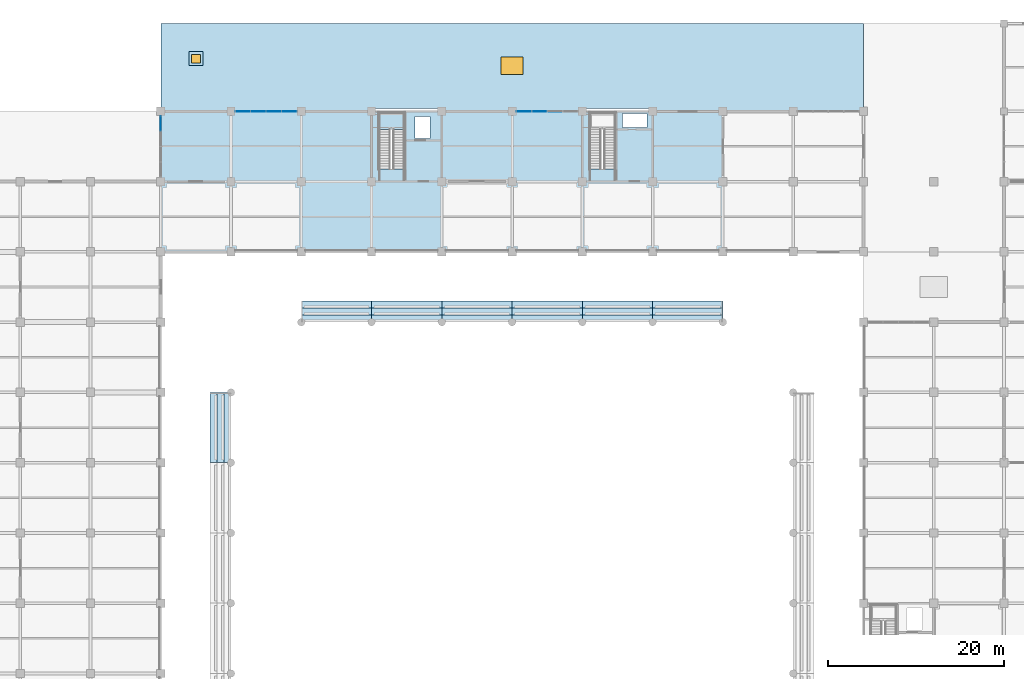
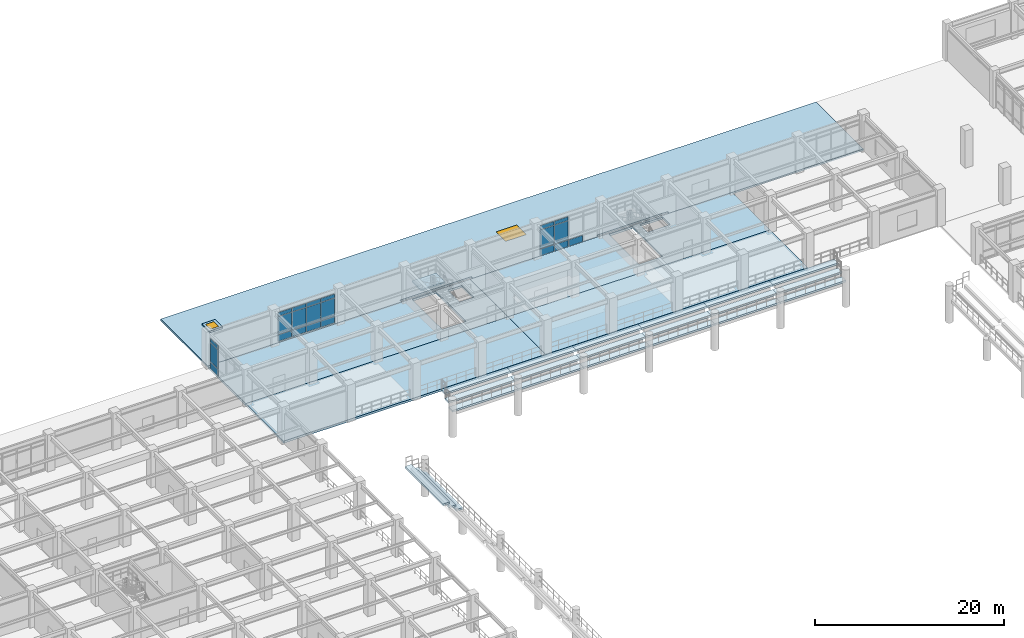
# One storey, part 64 of 109: 28 slabs, 22 plates, 1 door, 1 window, 2 openings, 4 elements without a shape of their own.
"""IFC4 building model written with IfcOpenShell, lengths in metres."""

from ifc_helpers import new_model, si_unit, direction, frame, origin, origin_2d, place, context, subcontext, project, spatial, polyline, rectangle, outline, extrude, material, layer, layer_set, type_object, element, fill, aggregate, save


model = new_model("IFC4")

# Units and contexts
model_context = context("Model", 3, precision=1e-05, world=origin(), true_north=direction((0.0, 1.0)))
body_context = subcontext(model_context, "Body", "Model", "MODEL_VIEW")
ifc_project = project(units=[si_unit("LENGTHUNIT", "METRE"), si_unit("AREAUNIT", "SQUARE_METRE"), si_unit("VOLUMEUNIT", "CUBIC_METRE"), si_unit("PLANEANGLEUNIT", "RADIAN"), si_unit("MASSUNIT", "GRAM", prefix="KILO")], contexts=[model_context])

# Site, building, storey
site_placement = place(None, origin())
site = spatial("IfcSite", under=ifc_project, at=site_placement, CompositionType="ELEMENT")
building_placement = place(site_placement, origin())
building = spatial("IfcBuilding", under=site, at=building_placement, Name="Haebicheon Civic Stadium", CompositionType="ELEMENT")
storey_placement = place(building_placement, frame((0.0, 0.0, 9.60009765625)))
storey = spatial("IfcBuildingStorey", under=building, at=storey_placement, Name="L03", CompositionType="ELEMENT", Elevation=9.60009765625)

# Curtain wall, plate
ifc_material_1 = material(Name="Anodised aluminium and laminated glass", Category="aluminium")
ifc_layer_1 = layer(ifc_material_1, 0.179931640625, Name="Anodised aluminium and laminated glass")
ifc_layer_set_1 = layer_set([ifc_layer_1], Name="Anodised aluminium and laminated glass")
curtain_wall_type_1 = type_object("IfcCurtainWallType", Name="CW-7050x3950", PredefinedType="NOTDEFINED", material=ifc_layer_set_1)
curtain_wall_1_placement = place(storey_placement, origin())
curtain_wall_1 = element("IfcCurtainWall", 1, at=curtain_wall_1_placement, inside=storey, type_object=curtain_wall_type_1, material=ifc_layer_set_1, Name="L03 unitised curtain wall 078", PredefinedType="NOTDEFINED")
ifc_material_2 = material(Name="Double low-e laminated glass", Category="glass")
ifc_layer_2 = layer(ifc_material_2, 0.028076171875, Name="Double low-e laminated glass")
ifc_layer_set_2 = layer_set([ifc_layer_2], Name="Double low-e laminated glass")
plate_type_1 = type_object("IfcPlateType", Name="CWP-GLZ-28", PredefinedType="CURTAIN_PANEL", material=ifc_layer_set_2)
plate_1_placement = place(storey_placement, frame((64.0, 166.6259765625, 0.93505859375), z_axis=(0.0, 0.0, 1.0), x_axis=(0.0, 1.0, 0.0)))
plate_1 = element("IfcPlate", 2, at=plate_1_placement, type_object=plate_type_1, material=ifc_layer_set_2, Name="CW-L03-078 vision panel 4.2", PredefinedType="CURTAIN_PANEL", context=body_context, shape_type="SweptSolid", body=[
    extrude(rectangle(XDim=1.656982421875, YDim=0.028076171875, at=origin_2d()), origin(), (0.0, 0.0, 1.0), 2.429931640625),
])

# Curtain wall, plates
ifc_material_3 = material(Name="Anodised aluminium and laminated glass", Category="aluminium")
ifc_layer_3 = layer(ifc_material_3, 0.179931640625, Name="Anodised aluminium and laminated glass")
ifc_layer_set_3 = layer_set([ifc_layer_3], Name="Anodised aluminium and laminated glass")
curtain_wall_type_2 = type_object("IfcCurtainWallType", Name="CW-7050x3770", PredefinedType="NOTDEFINED", material=ifc_layer_set_3)
curtain_wall_2_placement = place(storey_placement, origin())
curtain_wall_2 = element("IfcCurtainWall", 3, at=curtain_wall_2_placement, inside=storey, type_object=curtain_wall_type_2, material=ifc_layer_set_3, Name="L03 unitised curtain wall 079", PredefinedType="NOTDEFINED")
plate_2_placement = place(storey_placement, frame((73.3740234375, 168.0, 1.094970703125), z_axis=(0.0, 0.0, 1.0), x_axis=(1.0, 0.0, 0.0)))
plate_2 = element("IfcPlate", 4, at=plate_2_placement, type_object=plate_type_1, material=ifc_layer_set_2, Name="CW-L03-079 vision panel 1.2", PredefinedType="CURTAIN_PANEL", context=body_context, shape_type="SweptSolid", body=[
    extrude(rectangle(XDim=1.656982421875, YDim=0.028076171875, at=origin_2d()), origin(), (0.0, 0.0, 1.0), 2.25),
])
plate_3_placement = place(storey_placement, frame((75.117919921875, 168.0, 1.094970703125), z_axis=(0.0, 0.0, 1.0), x_axis=(1.0, 0.0, 0.0)))
plate_3 = element("IfcPlate", 5, at=plate_3_placement, type_object=plate_type_1, material=ifc_layer_set_2, Name="CW-L03-079 vision panel 2.2", PredefinedType="CURTAIN_PANEL", context=body_context, shape_type="SweptSolid", body=[
    extrude(rectangle(XDim=1.693115234375, YDim=0.028076171875, at=origin_2d()), origin(), (0.0, 0.0, 1.0), 2.25),
])
plate_4_placement = place(storey_placement, frame((76.882080078125, 168.0, 1.094970703125), z_axis=(0.0, 0.0, 1.0), x_axis=(1.0, 0.0, 0.0)))
plate_4 = element("IfcPlate", 6, at=plate_4_placement, type_object=plate_type_1, material=ifc_layer_set_2, Name="CW-L03-079 vision panel 3.2", PredefinedType="CURTAIN_PANEL", context=body_context, shape_type="SweptSolid", body=[
    extrude(rectangle(XDim=1.693115234375, YDim=0.028076171875, at=origin_2d()), origin(), (0.0, 0.0, 1.0), 2.25),
])
plate_5_placement = place(storey_placement, frame((78.6259765625, 168.0, 1.094970703125), z_axis=(0.0, 0.0, 1.0), x_axis=(1.0, 0.0, 0.0)))
plate_5 = element("IfcPlate", 7, at=plate_5_placement, type_object=plate_type_1, material=ifc_layer_set_2, Name="CW-L03-079 vision panel 4.2", PredefinedType="CURTAIN_PANEL", context=body_context, shape_type="SweptSolid", body=[
    extrude(rectangle(XDim=1.656982421875, YDim=0.028076171875, at=origin_2d()), origin(), (0.0, 0.0, 1.0), 2.25),
])

ifc_material_4 = material(Name="Anodised aluminium and laminated glass", Category="aluminium")
ifc_layer_4 = layer(ifc_material_4, 0.179931640625, Name="Anodised aluminium and laminated glass")
ifc_layer_set_4 = layer_set([ifc_layer_4], Name="Anodised aluminium and laminated glass")
curtain_wall_type_3 = type_object("IfcCurtainWallType", Name="CW-7050x3930", PredefinedType="NOTDEFINED", material=ifc_layer_set_4)
curtain_wall_3_placement = place(storey_placement, origin())
curtain_wall_3 = element("IfcCurtainWall", 8, at=curtain_wall_3_placement, inside=storey, type_object=curtain_wall_type_3, material=ifc_layer_set_4, Name="L03 unitised curtain wall 081", PredefinedType="NOTDEFINED")
plate_6_placement = place(storey_placement, frame((105.3740234375, 168.0, 0.93505859375), z_axis=(0.0, 0.0, 1.0), x_axis=(1.0, 0.0, 0.0)))
plate_6 = element("IfcPlate", 9, at=plate_6_placement, type_object=plate_type_1, material=ifc_layer_set_2, Name="CW-L03-081 vision panel 1.2", PredefinedType="CURTAIN_PANEL", context=body_context, shape_type="SweptSolid", body=[
    extrude(rectangle(XDim=1.656982421875, YDim=0.028076171875, at=origin_2d()), origin(), (0.0, 0.0, 1.0), 2.409912109375),
])
plate_7_placement = place(storey_placement, frame((107.117919921875, 168.0, 0.93505859375), z_axis=(0.0, 0.0, 1.0), x_axis=(1.0, 0.0, 0.0)))
plate_7 = element("IfcPlate", 10, at=plate_7_placement, type_object=plate_type_1, material=ifc_layer_set_2, Name="CW-L03-081 vision panel 2.2", PredefinedType="CURTAIN_PANEL", context=body_context, shape_type="SweptSolid", body=[
    extrude(rectangle(XDim=1.693115234375, YDim=0.028076171875, at=origin_2d()), origin(), (0.0, 0.0, 1.0), 2.409912109375),
])

# Plate
ifc_material_5 = material(Name="Anodised aluminium 6063-T6", Category="aluminium")
ifc_layer_5 = layer(ifc_material_5, 0.0439453125, Name="Anodised aluminium 6063-T6")
ifc_layer_set_5 = layer_set([ifc_layer_5], Name="Anodised aluminium 6063-T6")
plate_type_2 = type_object("IfcPlateType", Name="CWP-SPD-44", PredefinedType="CURTAIN_PANEL", material=ifc_layer_set_5)
plate_8_placement = place(storey_placement, frame((64.0, 166.6259765625, 0.034912109375), z_axis=(0.0, 0.0, 1.0), x_axis=(0.0, 1.0, 0.0)))
plate_8 = element("IfcPlate", 11, at=plate_8_placement, type_object=plate_type_2, material=ifc_layer_set_5, Name="CW-L03-078 spandrel panel 4.1", PredefinedType="CURTAIN_PANEL", context=body_context, shape_type="SweptSolid", body=[
    extrude(rectangle(XDim=1.656982421875, YDim=0.0439453125, at=origin_2d()), origin(), (0.0, 0.0, 1.0), 0.830078125),
])

plate_9_placement = place(storey_placement, frame((64.0, 166.6259765625, 3.434814453125), z_axis=(0.0, 0.0, 1.0), x_axis=(0.0, 1.0, 0.0)))
plate_9 = element("IfcPlate", 12, at=plate_9_placement, type_object=plate_type_2, material=ifc_layer_set_5, Name="CW-L03-078 spandrel panel 4.3", PredefinedType="CURTAIN_PANEL", context=body_context, shape_type="SweptSolid", body=[
    extrude(rectangle(XDim=1.656982421875, YDim=0.0439453125, at=origin_2d()), origin(), (0.0, 0.0, 1.0), 0.47998046875),
])

aggregate(curtain_wall_1, [plate_8, plate_1, plate_9])

plate_10_placement = place(storey_placement, frame((73.3740234375, 168.0, 0.19482421875), z_axis=(0.0, 0.0, 1.0), x_axis=(1.0, 0.0, 0.0)))
plate_10 = element("IfcPlate", 13, at=plate_10_placement, type_object=plate_type_2, material=ifc_layer_set_5, Name="CW-L03-079 spandrel panel 1.1", PredefinedType="CURTAIN_PANEL", context=body_context, shape_type="SweptSolid", body=[
    extrude(rectangle(XDim=1.656982421875, YDim=0.0439453125, at=origin_2d()), origin(), (0.0, 0.0, 1.0), 0.830078125),
])

plate_11_placement = place(storey_placement, frame((73.3740234375, 168.0, 3.414794921875), z_axis=(0.0, 0.0, 1.0), x_axis=(1.0, 0.0, 0.0)))
plate_11 = element("IfcPlate", 14, at=plate_11_placement, type_object=plate_type_2, material=ifc_layer_set_5, Name="CW-L03-079 spandrel panel 1.3", PredefinedType="CURTAIN_PANEL", context=body_context, shape_type="SweptSolid", body=[
    extrude(rectangle(XDim=1.656982421875, YDim=0.0439453125, at=origin_2d()), origin(), (0.0, 0.0, 1.0), 0.47998046875),
])

plate_12_placement = place(storey_placement, frame((75.117919921875, 168.0, 0.19482421875), z_axis=(0.0, 0.0, 1.0), x_axis=(1.0, 0.0, 0.0)))
plate_12 = element("IfcPlate", 15, at=plate_12_placement, type_object=plate_type_2, material=ifc_layer_set_5, Name="CW-L03-079 spandrel panel 2.1", PredefinedType="CURTAIN_PANEL", context=body_context, shape_type="SweptSolid", body=[
    extrude(rectangle(XDim=1.693115234375, YDim=0.0439453125, at=origin_2d()), origin(), (0.0, 0.0, 1.0), 0.830078125),
])

plate_13_placement = place(storey_placement, frame((75.117919921875, 168.0, 3.414794921875), z_axis=(0.0, 0.0, 1.0), x_axis=(1.0, 0.0, 0.0)))
plate_13 = element("IfcPlate", 16, at=plate_13_placement, type_object=plate_type_2, material=ifc_layer_set_5, Name="CW-L03-079 spandrel panel 2.3", PredefinedType="CURTAIN_PANEL", context=body_context, shape_type="SweptSolid", body=[
    extrude(rectangle(XDim=1.693115234375, YDim=0.0439453125, at=origin_2d()), origin(), (0.0, 0.0, 1.0), 0.47998046875),
])

plate_14_placement = place(storey_placement, frame((76.882080078125, 168.0, 0.19482421875), z_axis=(0.0, 0.0, 1.0), x_axis=(1.0, 0.0, 0.0)))
plate_14 = element("IfcPlate", 17, at=plate_14_placement, type_object=plate_type_2, material=ifc_layer_set_5, Name="CW-L03-079 spandrel panel 3.1", PredefinedType="CURTAIN_PANEL", context=body_context, shape_type="SweptSolid", body=[
    extrude(rectangle(XDim=1.693115234375, YDim=0.0439453125, at=origin_2d()), origin(), (0.0, 0.0, 1.0), 0.830078125),
])

plate_15_placement = place(storey_placement, frame((76.882080078125, 168.0, 3.414794921875), z_axis=(0.0, 0.0, 1.0), x_axis=(1.0, 0.0, 0.0)))
plate_15 = element("IfcPlate", 18, at=plate_15_placement, type_object=plate_type_2, material=ifc_layer_set_5, Name="CW-L03-079 spandrel panel 3.3", PredefinedType="CURTAIN_PANEL", context=body_context, shape_type="SweptSolid", body=[
    extrude(rectangle(XDim=1.693115234375, YDim=0.0439453125, at=origin_2d()), origin(), (0.0, 0.0, 1.0), 0.47998046875),
])

plate_16_placement = place(storey_placement, frame((78.6259765625, 168.0, 0.19482421875), z_axis=(0.0, 0.0, 1.0), x_axis=(1.0, 0.0, 0.0)))
plate_16 = element("IfcPlate", 19, at=plate_16_placement, type_object=plate_type_2, material=ifc_layer_set_5, Name="CW-L03-079 spandrel panel 4.1", PredefinedType="CURTAIN_PANEL", context=body_context, shape_type="SweptSolid", body=[
    extrude(rectangle(XDim=1.656982421875, YDim=0.0439453125, at=origin_2d()), origin(), (0.0, 0.0, 1.0), 0.830078125),
])

plate_17_placement = place(storey_placement, frame((78.6259765625, 168.0, 3.414794921875), z_axis=(0.0, 0.0, 1.0), x_axis=(1.0, 0.0, 0.0)))
plate_17 = element("IfcPlate", 20, at=plate_17_placement, type_object=plate_type_2, material=ifc_layer_set_5, Name="CW-L03-079 spandrel panel 4.3", PredefinedType="CURTAIN_PANEL", context=body_context, shape_type="SweptSolid", body=[
    extrude(rectangle(XDim=1.656982421875, YDim=0.0439453125, at=origin_2d()), origin(), (0.0, 0.0, 1.0), 0.47998046875),
])

aggregate(curtain_wall_2, [plate_10, plate_2, plate_11, plate_12, plate_3, plate_13, plate_14, plate_4, plate_15, plate_16, plate_5, plate_17])

plate_18_placement = place(storey_placement, frame((105.3740234375, 168.0, 0.034912109375), z_axis=(0.0, 0.0, 1.0), x_axis=(1.0, 0.0, 0.0)))
plate_18 = element("IfcPlate", 21, at=plate_18_placement, type_object=plate_type_2, material=ifc_layer_set_5, Name="CW-L03-081 spandrel panel 1.1", PredefinedType="CURTAIN_PANEL", context=body_context, shape_type="SweptSolid", body=[
    extrude(rectangle(XDim=1.656982421875, YDim=0.0439453125, at=origin_2d()), origin(), (0.0, 0.0, 1.0), 0.830078125),
])

plate_19_placement = place(storey_placement, frame((105.3740234375, 168.0, 3.414794921875), z_axis=(0.0, 0.0, 1.0), x_axis=(1.0, 0.0, 0.0)))
plate_19 = element("IfcPlate", 22, at=plate_19_placement, type_object=plate_type_2, material=ifc_layer_set_5, Name="CW-L03-081 spandrel panel 1.3", PredefinedType="CURTAIN_PANEL", context=body_context, shape_type="SweptSolid", body=[
    extrude(rectangle(XDim=1.656982421875, YDim=0.0439453125, at=origin_2d()), origin(), (0.0, 0.0, 1.0), 0.47998046875),
])

plate_20_placement = place(storey_placement, frame((107.117919921875, 168.0, 0.034912109375), z_axis=(0.0, 0.0, 1.0), x_axis=(1.0, 0.0, 0.0)))
plate_20 = element("IfcPlate", 23, at=plate_20_placement, type_object=plate_type_2, material=ifc_layer_set_5, Name="CW-L03-081 spandrel panel 2.1", PredefinedType="CURTAIN_PANEL", context=body_context, shape_type="SweptSolid", body=[
    extrude(rectangle(XDim=1.693115234375, YDim=0.0439453125, at=origin_2d()), origin(), (0.0, 0.0, 1.0), 0.830078125),
])

plate_21_placement = place(storey_placement, frame((107.117919921875, 168.0, 3.414794921875), z_axis=(0.0, 0.0, 1.0), x_axis=(1.0, 0.0, 0.0)))
plate_21 = element("IfcPlate", 24, at=plate_21_placement, type_object=plate_type_2, material=ifc_layer_set_5, Name="CW-L03-081 spandrel panel 2.3", PredefinedType="CURTAIN_PANEL", context=body_context, shape_type="SweptSolid", body=[
    extrude(rectangle(XDim=1.693115234375, YDim=0.0439453125, at=origin_2d()), origin(), (0.0, 0.0, 1.0), 0.47998046875),
])

plate_22_placement = place(storey_placement, frame((108.882080078125, 168.0, 0.034912109375), z_axis=(0.0, 0.0, 1.0), x_axis=(1.0, 0.0, 0.0)))
plate_22 = element("IfcPlate", 25, at=plate_22_placement, type_object=plate_type_2, material=ifc_layer_set_5, Name="CW-L03-081 spandrel panel 3.1", PredefinedType="CURTAIN_PANEL", context=body_context, shape_type="SweptSolid", body=[
    extrude(rectangle(XDim=1.693115234375, YDim=0.0439453125, at=origin_2d()), origin(), (0.0, 0.0, 1.0), 0.830078125),
])

aggregate(curtain_wall_3, [plate_18, plate_6, plate_19, plate_20, plate_7, plate_21, plate_22])

# Slab, opening, door
ifc_material_6 = material(Name="Precast concrete C40/50", Category="concrete")
ifc_layer_6 = layer(ifc_material_6, 0.2099609375, Name="Precast concrete C40/50")
ifc_layer_set_6 = layer_set([ifc_layer_6], Name="Precast concrete C40/50")
slab_type_1 = type_object("IfcSlabType", Name="SLB-CRB-210", PredefinedType="ROOF", material=ifc_layer_set_6)
slab_1_placement = place(storey_placement, origin())
slab_1 = element("IfcSlab", 26, at=slab_1_placement, inside=storey, type_object=slab_type_1, material=ifc_layer_set_6, Name="Rooftop hatch upstand curb 02", PredefinedType="ROOF", context=body_context, shape_type="SweptSolid", body=[
    extrude(outline(polyline([(67.199951171875, 173.199951171875), (68.800048828125, 173.199951171875), (68.800048828125, 174.800048828125), (67.199951171875, 174.800048828125), (67.199951171875, 173.199951171875)]), holes=[polyline([(67.5, 173.5), (68.5, 173.5), (68.5, 174.5), (67.5, 174.5), (67.5, 173.5)])]), origin(), (0.0, 0.0, 1.0), 0.2099609375),
])
opening_1_placement = place(slab_1_placement, frame((68.0, 174.0, -0.010009765625)))
opening_1 = element("IfcOpeningElement", 27, at=opening_1_placement, cuts=slab_1, Name="Opening HTCH-02", PredefinedType="OPENING", context=body_context, shape_type="SweptSolid", body=[
    extrude(rectangle(XDim=1.0, YDim=1.0, at=origin_2d()), origin(), (0.0, 0.0, 1.0), 0.22998046875),
])
ifc_material_7 = material(Name="Anodised aluminium 6063-T6", Category="aluminium")
door_type = type_object("IfcDoorType", Name="ED-HTCH-1000", OperationType="NOTDEFINED", PredefinedType="TRAPDOOR", material=ifc_material_7)
door_placement = place(slab_1_placement, frame((68.0, 174.0, 0.159912109375)))
door = element("IfcDoor", 28, at=door_placement, inside=storey, type_object=door_type, material=ifc_material_7, Name="Roof maintenance access hatch HTCH-02", OperationType="SINGLE_SWING_LEFT", OverallHeight=1.0, OverallWidth=1.0, PredefinedType="TRAPDOOR", context=body_context, shape_type="SweptSolid", body=[
    extrude(rectangle(XDim=1.0, YDim=1.0, at=origin_2d()), origin(), (0.0, 0.0, 1.0), 0.050048828125),
])
fill(opening_1, door)

# Slabs
ifc_material_8 = material(Name="Concrete C40/50", Category="concrete")
ifc_layer_7 = layer(ifc_material_8, 0.280029296875, Name="Concrete C40/50")
ifc_layer_set_7 = layer_set([ifc_layer_7], Name="Concrete C40/50")
slab_type_2 = type_object("IfcSlabType", Name="SLB-FLR-280", PredefinedType="FLOOR", material=ifc_layer_set_7)
slab_2_placement = place(storey_placement, frame((0.0, 0.0, -0.280029296875)))
element("IfcSlab", 29, at=slab_2_placement, inside=storey, type_object=slab_type_2, material=ifc_layer_set_7, Name="L03 V2 structural slab 2.1", PredefinedType="FLOOR", context=body_context, shape_type="SweptSolid", body=[
    extrude(outline(polyline([(64.0, 160.0), (72.0, 160.0), (80.0, 160.0), (88.0, 160.0), (96.0, 160.0), (96.0, 152.0), (88.0, 152.0), (80.0, 152.0), (72.0, 152.0), (64.0, 152.0), (64.0, 160.0)])), origin(), (0.0, 0.0, 1.0), 0.280029296875),
])
slab_3_placement = place(storey_placement, frame((0.0, 0.0, -0.280029296875)))
element("IfcSlab", 30, at=slab_3_placement, inside=storey, type_object=slab_type_2, material=ifc_layer_set_7, Name="L03 V2 structural slab 3.1", PredefinedType="FLOOR", context=body_context, shape_type="SweptSolid", body=[
    extrude(outline(polyline([(64.0, 168.0), (72.0, 168.0), (80.0, 168.0), (88.0, 168.0), (96.0, 168.0), (96.0, 160.0), (88.0, 160.0), (80.0, 160.0), (72.0, 160.0), (64.0, 160.0), (64.0, 168.0)]), holes=[polyline([(88.840087890625, 161.4599609375), (91.739990234375, 161.4599609375), (91.739990234375, 167.840087890625), (88.840087890625, 167.840087890625), (88.840087890625, 161.4599609375)]), polyline([(92.969970703125, 164.929931640625), (94.669921875, 164.929931640625), (94.669921875, 167.429931640625), (92.969970703125, 167.429931640625), (92.969970703125, 164.929931640625)])]), origin(), (0.0, 0.0, 1.0), 0.280029296875),
])
slab_4_placement = place(storey_placement, frame((0.0, 0.0, -0.280029296875)))
element("IfcSlab", 31, at=slab_4_placement, inside=storey, type_object=slab_type_2, material=ifc_layer_set_7, Name="L03 V2 structural slab 5.1", PredefinedType="FLOOR", context=body_context, shape_type="SweptSolid", body=[
    extrude(outline(polyline([(96.0, 160.0), (104.0, 160.0), (112.0, 160.0), (120.0, 160.0), (128.0, 160.0), (128.0, 152.0), (120.0, 152.0), (112.0, 152.0), (104.0, 152.0), (96.0, 152.0), (96.0, 160.0)])), origin(), (0.0, 0.0, 1.0), 0.280029296875),
])
slab_5_placement = place(storey_placement, frame((0.0, 0.0, -0.280029296875)))
element("IfcSlab", 32, at=slab_5_placement, inside=storey, type_object=slab_type_2, material=ifc_layer_set_7, Name="L03 V2 structural slab 6.1", PredefinedType="FLOOR", context=body_context, shape_type="SweptSolid", body=[
    extrude(outline(polyline([(96.0, 168.0), (104.0, 168.0), (112.0, 168.0), (120.0, 168.0), (128.0, 168.0), (128.0, 160.0), (120.0, 160.0), (112.0, 160.0), (104.0, 160.0), (96.0, 160.0), (96.0, 168.0)]), holes=[polyline([(112.840087890625, 161.4599609375), (115.739990234375, 161.4599609375), (115.739990234375, 167.840087890625), (112.840087890625, 167.840087890625), (112.840087890625, 161.4599609375)]), polyline([(116.550048828125, 166.14990234375), (119.35009765625, 166.14990234375), (119.35009765625, 167.75), (116.550048828125, 167.75), (116.550048828125, 166.14990234375)])]), origin(), (0.0, 0.0, 1.0), 0.280029296875),
])

# Stair, slab
ifc_material_9 = material(Name="Concrete C40/50", Category="concrete")
stair_type = type_object("IfcStairType", Name="STR-DL-W128-H48", PredefinedType="HALF_TURN_STAIR", material=ifc_material_9)
stair_placement = place(storey_placement, origin())
stair = element("IfcStair", 33, at=stair_placement, inside=storey, type_object=stair_type, material=ifc_material_9, Name="L03 Escape stair ST-08", PredefinedType="HALF_TURN_STAIR")
ifc_material_10 = material(Name="Concrete C40/50", Category="concrete")
ifc_layer_8 = layer(ifc_material_10, 0.199951171875, Name="Concrete C40/50")
ifc_layer_set_8 = layer_set([ifc_layer_8], Name="Concrete C40/50")
slab_type_3 = type_object("IfcSlabType", Name="SLB-LND-200", PredefinedType="LANDING", material=ifc_layer_set_8)
slab_6_placement = place(storey_placement, frame((0.0, 0.0, 2.199951171875)))
slab_6 = element("IfcSlab", 34, at=slab_6_placement, type_object=slab_type_3, material=ifc_layer_set_8, Name="ST-08 landing 1", PredefinedType="LANDING", context=body_context, shape_type="SweptSolid", body=[
    extrude(outline(polyline([(91.739990234375, 165.949951171875), (91.739990234375, 167.840087890625), (88.840087890625, 167.840087890625), (88.840087890625, 165.949951171875), (91.739990234375, 165.949951171875)])), origin(), (0.0, 0.0, 1.0), 0.199951171875),
])
aggregate(stair, [slab_6])

# Slab, opening, window
ifc_material_11 = material(Name="Concrete C40/50", Category="concrete")
ifc_layer_9 = layer(ifc_material_11, 0.219970703125, Name="Concrete C40/50")
ifc_layer_set_9 = layer_set([ifc_layer_9], Name="Concrete C40/50")
slab_type_4 = type_object("IfcSlabType", Name="SLB-ROOF-220", PredefinedType="ROOF", material=ifc_layer_set_9)
slab_7_placement = place(storey_placement, frame((0.0, 0.0, -0.22021484375)))
slab_7 = element("IfcSlab", 35, at=slab_7_placement, inside=storey, type_object=slab_type_4, material=ifc_layer_set_9, Name="L03 V2 roof deck slab 1", PredefinedType="ROOF", context=body_context, shape_type="SweptSolid", body=[
    extrude(outline(polyline([(64.0, 178.0), (144.0, 178.0), (144.0, 168.0), (120.340087890625, 168.0), (120.340087890625, 168.340087890625), (111.659912109375, 168.340087890625), (111.659912109375, 168.0), (96.340087890625, 168.0), (96.340087890625, 168.340087890625), (87.659912109375, 168.340087890625), (87.659912109375, 168.0), (64.0, 168.0), (64.0, 178.0)]), holes=[polyline([(67.5, 173.5), (68.5, 173.5), (68.5, 174.5), (67.5, 174.5), (67.5, 173.5)])]), origin(), (0.0, 0.0, 1.0), 0.22021484375),
])
opening_2_placement = place(slab_7_placement, frame((104.0, 173.169921875, -0.010009765625)))
opening_2 = element("IfcOpeningElement", 36, at=opening_2_placement, cuts=slab_7, Name="Opening SKY-250x200", PredefinedType="OPENING", context=body_context, shape_type="SweptSolid", body=[
    extrude(rectangle(XDim=2.5, YDim=2.0, at=origin_2d()), origin(), (0.0, 0.0, 1.0), 0.240234375),
])
ifc_material_12 = material(Name="Anodised aluminium and laminated glass", Category="aluminium")
window_type = type_object("IfcWindowType", Name="SKY-250x200", PartitioningType="SINGLE_PANEL", PredefinedType="SKYLIGHT", material=ifc_material_12)
window_placement = place(slab_7_placement, frame((104.0, 173.169921875, 0.170166015625)))
window = element("IfcWindow", 37, at=window_placement, inside=storey, type_object=window_type, material=ifc_material_12, Name="L03 glazed roof skylight 10", OverallHeight=2.0, OverallWidth=2.5, PartitioningType="SINGLE_PANEL", PredefinedType="SKYLIGHT", context=body_context, shape_type="SweptSolid", body=[
    extrude(rectangle(XDim=2.5, YDim=2.0, at=origin_2d()), origin(), (0.0, 0.0, 1.0), 0.050048828125),
])
fill(opening_2, window)

# Slabs
ifc_material_13 = material(Name="Precast concrete C40/50", Category="concrete")
ifc_layer_10 = layer(ifc_material_13, 0.239990234375, Name="Precast concrete C40/50")
ifc_layer_set_10 = layer_set([ifc_layer_10], Name="Precast concrete C40/50")
slab_type_5 = type_object("IfcSlabType", Name="SLB-TIER-240", PredefinedType="USERDEFINED", material=ifc_layer_set_10)
slab_8_placement = place(storey_placement, frame((0.0, 0.0, 2.9599609375)))
element("IfcSlab", 38, at=slab_8_placement, inside=storey, type_object=slab_type_5, material=ifc_layer_set_10, Name="TIER-W-U precast seating tier bay 11 row-band 1", ObjectType="SEATING TIER", PredefinedType="USERDEFINED", context=body_context, shape_type="SweptSolid", body=[
    extrude(outline(polyline([(71.199951171875, 128.0), (72.0, 128.0), (72.0, 136.0), (71.199951171875, 136.0), (71.199951171875, 128.0)])), origin(), (0.0, 0.0, 1.0), 0.239990234375),
])
slab_9_placement = place(storey_placement, frame((0.0, 0.0, 3.60400390625)))
element("IfcSlab", 39, at=slab_9_placement, inside=storey, type_object=slab_type_5, material=ifc_layer_set_10, Name="TIER-W-U precast seating tier bay 11 row-band 2", ObjectType="SEATING TIER", PredefinedType="USERDEFINED", context=body_context, shape_type="SweptSolid", body=[
    extrude(outline(polyline([(70.39990234375, 128.0), (71.199951171875, 128.0), (71.199951171875, 136.0), (70.39990234375, 136.0), (70.39990234375, 128.0)])), origin(), (0.0, 0.0, 1.0), 0.239990234375),
])
slab_10_placement = place(storey_placement, frame((0.0, 0.0, 4.2490234375)))
element("IfcSlab", 40, at=slab_10_placement, inside=storey, type_object=slab_type_5, material=ifc_layer_set_10, Name="TIER-W-U precast seating tier bay 11 row-band 3", ObjectType="SEATING TIER", PredefinedType="USERDEFINED", context=body_context, shape_type="SweptSolid", body=[
    extrude(outline(polyline([(69.60009765625, 128.0), (70.39990234375, 128.0), (70.39990234375, 136.0), (69.60009765625, 136.0), (69.60009765625, 128.0)])), origin(), (0.0, 0.0, 1.0), 0.239990234375),
])
slab_11_placement = place(storey_placement, frame((0.0, 0.0, 2.9599609375)))
element("IfcSlab", 41, at=slab_11_placement, inside=storey, type_object=slab_type_5, material=ifc_layer_set_10, Name="TIER-N-U precast seating tier bay 1 row-band 1", ObjectType="SEATING TIER", PredefinedType="USERDEFINED", context=body_context, shape_type="SweptSolid", body=[
    extrude(outline(polyline([(80.0, 144.0), (88.0, 144.0), (88.0, 144.800048828125), (80.0, 144.800048828125), (80.0, 144.0)])), origin(), (0.0, 0.0, 1.0), 0.239990234375),
])
slab_12_placement = place(storey_placement, frame((0.0, 0.0, 3.60400390625)))
element("IfcSlab", 42, at=slab_12_placement, inside=storey, type_object=slab_type_5, material=ifc_layer_set_10, Name="TIER-N-U precast seating tier bay 1 row-band 2", ObjectType="SEATING TIER", PredefinedType="USERDEFINED", context=body_context, shape_type="SweptSolid", body=[
    extrude(outline(polyline([(80.0, 144.800048828125), (88.0, 144.800048828125), (88.0, 145.60009765625), (80.0, 145.60009765625), (80.0, 144.800048828125)])), origin(), (0.0, 0.0, 1.0), 0.239990234375),
])
slab_13_placement = place(storey_placement, frame((0.0, 0.0, 4.2490234375)))
element("IfcSlab", 43, at=slab_13_placement, inside=storey, type_object=slab_type_5, material=ifc_layer_set_10, Name="TIER-N-U precast seating tier bay 1 row-band 3", ObjectType="SEATING TIER", PredefinedType="USERDEFINED", context=body_context, shape_type="SweptSolid", body=[
    extrude(outline(polyline([(80.0, 145.60009765625), (88.0, 145.60009765625), (88.0, 146.39990234375), (80.0, 146.39990234375), (80.0, 145.60009765625)])), origin(), (0.0, 0.0, 1.0), 0.239990234375),
])
slab_14_placement = place(storey_placement, frame((0.0, 0.0, 2.9599609375)))
element("IfcSlab", 44, at=slab_14_placement, inside=storey, type_object=slab_type_5, material=ifc_layer_set_10, Name="TIER-N-U precast seating tier bay 2 row-band 1", ObjectType="SEATING TIER", PredefinedType="USERDEFINED", context=body_context, shape_type="SweptSolid", body=[
    extrude(outline(polyline([(88.0, 144.0), (96.0, 144.0), (96.0, 144.800048828125), (88.0, 144.800048828125), (88.0, 144.0)])), origin(), (0.0, 0.0, 1.0), 0.239990234375),
])
slab_15_placement = place(storey_placement, frame((0.0, 0.0, 3.60400390625)))
element("IfcSlab", 45, at=slab_15_placement, inside=storey, type_object=slab_type_5, material=ifc_layer_set_10, Name="TIER-N-U precast seating tier bay 2 row-band 2", ObjectType="SEATING TIER", PredefinedType="USERDEFINED", context=body_context, shape_type="SweptSolid", body=[
    extrude(outline(polyline([(88.0, 144.800048828125), (96.0, 144.800048828125), (96.0, 145.60009765625), (88.0, 145.60009765625), (88.0, 144.800048828125)])), origin(), (0.0, 0.0, 1.0), 0.239990234375),
])
slab_16_placement = place(storey_placement, frame((0.0, 0.0, 4.2490234375)))
element("IfcSlab", 46, at=slab_16_placement, inside=storey, type_object=slab_type_5, material=ifc_layer_set_10, Name="TIER-N-U precast seating tier bay 2 row-band 3", ObjectType="SEATING TIER", PredefinedType="USERDEFINED", context=body_context, shape_type="SweptSolid", body=[
    extrude(outline(polyline([(88.0, 145.60009765625), (96.0, 145.60009765625), (96.0, 146.39990234375), (88.0, 146.39990234375), (88.0, 145.60009765625)])), origin(), (0.0, 0.0, 1.0), 0.239990234375),
])
slab_17_placement = place(storey_placement, frame((0.0, 0.0, 2.9599609375)))
element("IfcSlab", 47, at=slab_17_placement, inside=storey, type_object=slab_type_5, material=ifc_layer_set_10, Name="TIER-N-U precast seating tier bay 3 row-band 1", ObjectType="SEATING TIER", PredefinedType="USERDEFINED", context=body_context, shape_type="SweptSolid", body=[
    extrude(outline(polyline([(96.0, 144.0), (104.0, 144.0), (104.0, 144.800048828125), (96.0, 144.800048828125), (96.0, 144.0)])), origin(), (0.0, 0.0, 1.0), 0.239990234375),
])
slab_18_placement = place(storey_placement, frame((0.0, 0.0, 3.60400390625)))
element("IfcSlab", 48, at=slab_18_placement, inside=storey, type_object=slab_type_5, material=ifc_layer_set_10, Name="TIER-N-U precast seating tier bay 3 row-band 2", ObjectType="SEATING TIER", PredefinedType="USERDEFINED", context=body_context, shape_type="SweptSolid", body=[
    extrude(outline(polyline([(96.0, 144.800048828125), (104.0, 144.800048828125), (104.0, 145.60009765625), (96.0, 145.60009765625), (96.0, 144.800048828125)])), origin(), (0.0, 0.0, 1.0), 0.239990234375),
])
slab_19_placement = place(storey_placement, frame((0.0, 0.0, 4.2490234375)))
element("IfcSlab", 49, at=slab_19_placement, inside=storey, type_object=slab_type_5, material=ifc_layer_set_10, Name="TIER-N-U precast seating tier bay 3 row-band 3", ObjectType="SEATING TIER", PredefinedType="USERDEFINED", context=body_context, shape_type="SweptSolid", body=[
    extrude(outline(polyline([(96.0, 145.60009765625), (104.0, 145.60009765625), (104.0, 146.39990234375), (96.0, 146.39990234375), (96.0, 145.60009765625)])), origin(), (0.0, 0.0, 1.0), 0.239990234375),
])
slab_20_placement = place(storey_placement, frame((0.0, 0.0, 2.9599609375)))
element("IfcSlab", 50, at=slab_20_placement, inside=storey, type_object=slab_type_5, material=ifc_layer_set_10, Name="TIER-N-U precast seating tier bay 4 row-band 1", ObjectType="SEATING TIER", PredefinedType="USERDEFINED", context=body_context, shape_type="SweptSolid", body=[
    extrude(outline(polyline([(104.0, 144.0), (112.0, 144.0), (112.0, 144.800048828125), (104.0, 144.800048828125), (104.0, 144.0)])), origin(), (0.0, 0.0, 1.0), 0.239990234375),
])
slab_21_placement = place(storey_placement, frame((0.0, 0.0, 3.60400390625)))
element("IfcSlab", 51, at=slab_21_placement, inside=storey, type_object=slab_type_5, material=ifc_layer_set_10, Name="TIER-N-U precast seating tier bay 4 row-band 2", ObjectType="SEATING TIER", PredefinedType="USERDEFINED", context=body_context, shape_type="SweptSolid", body=[
    extrude(outline(polyline([(104.0, 144.800048828125), (112.0, 144.800048828125), (112.0, 145.60009765625), (104.0, 145.60009765625), (104.0, 144.800048828125)])), origin(), (0.0, 0.0, 1.0), 0.239990234375),
])
slab_22_placement = place(storey_placement, frame((0.0, 0.0, 4.2490234375)))
element("IfcSlab", 52, at=slab_22_placement, inside=storey, type_object=slab_type_5, material=ifc_layer_set_10, Name="TIER-N-U precast seating tier bay 4 row-band 3", ObjectType="SEATING TIER", PredefinedType="USERDEFINED", context=body_context, shape_type="SweptSolid", body=[
    extrude(outline(polyline([(104.0, 145.60009765625), (112.0, 145.60009765625), (112.0, 146.39990234375), (104.0, 146.39990234375), (104.0, 145.60009765625)])), origin(), (0.0, 0.0, 1.0), 0.239990234375),
])
slab_23_placement = place(storey_placement, frame((0.0, 0.0, 2.9599609375)))
element("IfcSlab", 53, at=slab_23_placement, inside=storey, type_object=slab_type_5, material=ifc_layer_set_10, Name="TIER-N-U precast seating tier bay 5 row-band 1", ObjectType="SEATING TIER", PredefinedType="USERDEFINED", context=body_context, shape_type="SweptSolid", body=[
    extrude(outline(polyline([(112.0, 144.0), (120.0, 144.0), (120.0, 144.800048828125), (112.0, 144.800048828125), (112.0, 144.0)])), origin(), (0.0, 0.0, 1.0), 0.239990234375),
])
slab_24_placement = place(storey_placement, frame((0.0, 0.0, 3.60400390625)))
element("IfcSlab", 54, at=slab_24_placement, inside=storey, type_object=slab_type_5, material=ifc_layer_set_10, Name="TIER-N-U precast seating tier bay 5 row-band 2", ObjectType="SEATING TIER", PredefinedType="USERDEFINED", context=body_context, shape_type="SweptSolid", body=[
    extrude(outline(polyline([(112.0, 144.800048828125), (120.0, 144.800048828125), (120.0, 145.60009765625), (112.0, 145.60009765625), (112.0, 144.800048828125)])), origin(), (0.0, 0.0, 1.0), 0.239990234375),
])
slab_25_placement = place(storey_placement, frame((0.0, 0.0, 4.2490234375)))
element("IfcSlab", 55, at=slab_25_placement, inside=storey, type_object=slab_type_5, material=ifc_layer_set_10, Name="TIER-N-U precast seating tier bay 5 row-band 3", ObjectType="SEATING TIER", PredefinedType="USERDEFINED", context=body_context, shape_type="SweptSolid", body=[
    extrude(outline(polyline([(112.0, 145.60009765625), (120.0, 145.60009765625), (120.0, 146.39990234375), (112.0, 146.39990234375), (112.0, 145.60009765625)])), origin(), (0.0, 0.0, 1.0), 0.239990234375),
])
slab_26_placement = place(storey_placement, frame((0.0, 0.0, 2.9599609375)))
element("IfcSlab", 56, at=slab_26_placement, inside=storey, type_object=slab_type_5, material=ifc_layer_set_10, Name="TIER-N-U precast seating tier bay 6 row-band 1", ObjectType="SEATING TIER", PredefinedType="USERDEFINED", context=body_context, shape_type="SweptSolid", body=[
    extrude(outline(polyline([(120.0, 144.0), (128.0, 144.0), (128.0, 144.800048828125), (120.0, 144.800048828125), (120.0, 144.0)])), origin(), (0.0, 0.0, 1.0), 0.239990234375),
])
slab_27_placement = place(storey_placement, frame((0.0, 0.0, 3.60400390625)))
element("IfcSlab", 57, at=slab_27_placement, inside=storey, type_object=slab_type_5, material=ifc_layer_set_10, Name="TIER-N-U precast seating tier bay 6 row-band 2", ObjectType="SEATING TIER", PredefinedType="USERDEFINED", context=body_context, shape_type="SweptSolid", body=[
    extrude(outline(polyline([(120.0, 144.800048828125), (128.0, 144.800048828125), (128.0, 145.60009765625), (120.0, 145.60009765625), (120.0, 144.800048828125)])), origin(), (0.0, 0.0, 1.0), 0.239990234375),
])
slab_28_placement = place(storey_placement, frame((0.0, 0.0, 4.2490234375)))
element("IfcSlab", 58, at=slab_28_placement, inside=storey, type_object=slab_type_5, material=ifc_layer_set_10, Name="TIER-N-U precast seating tier bay 6 row-band 3", ObjectType="SEATING TIER", PredefinedType="USERDEFINED", context=body_context, shape_type="SweptSolid", body=[
    extrude(outline(polyline([(120.0, 145.60009765625), (128.0, 145.60009765625), (128.0, 146.39990234375), (120.0, 146.39990234375), (120.0, 145.60009765625)])), origin(), (0.0, 0.0, 1.0), 0.239990234375),
])

save(model, "model.ifc")
